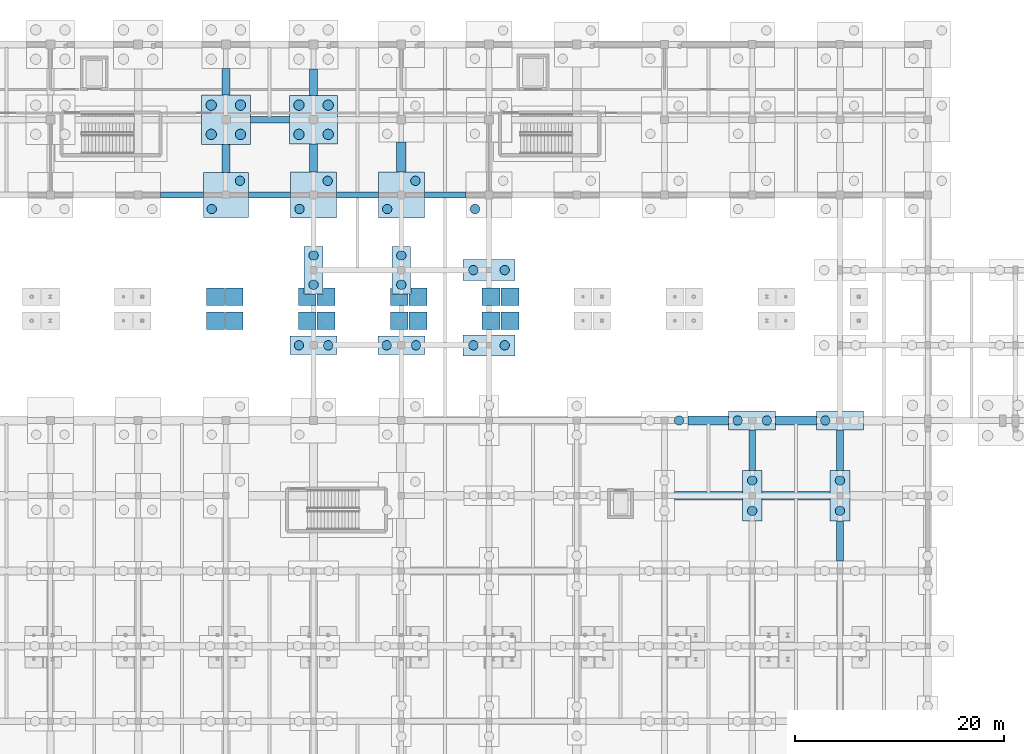
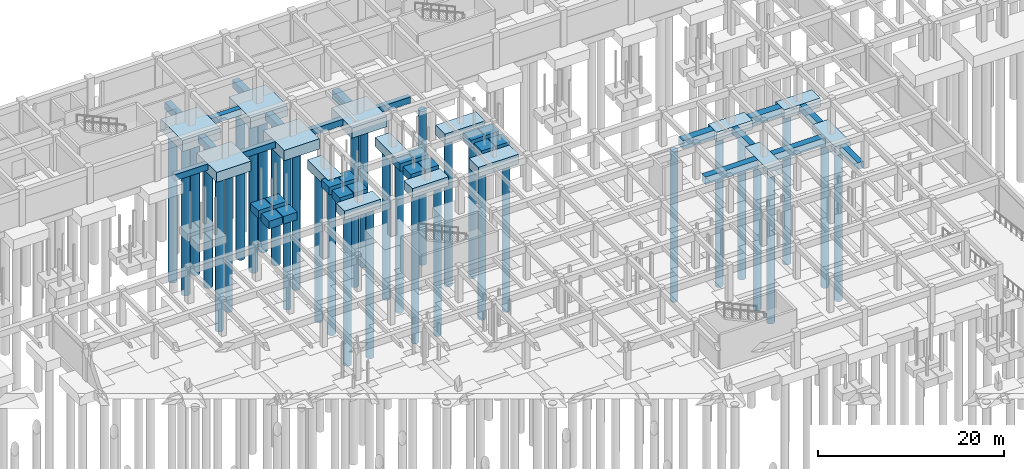
# One storey, part 11 of 80: 48 footings, 35 piles.
"""IFC4 building model written with IfcOpenShell, lengths in metres."""

from ifc_helpers import new_model, si_unit, direction, frame, origin, origin_2d, place, context, subcontext, project, spatial, polyline, rectangle, circle, outline, extrude, material, material_profile, profile_set, type_object, element, save


model = new_model("IFC4")

# Units and contexts
model_context = context("Model", 3, precision=1e-05, world=origin(), true_north=direction((0.0, 1.0)))
body_context = subcontext(model_context, "Body", "Model", "MODEL_VIEW")
ifc_project = project(units=[si_unit("LENGTHUNIT", "METRE"), si_unit("AREAUNIT", "SQUARE_METRE"), si_unit("VOLUMEUNIT", "CUBIC_METRE"), si_unit("PLANEANGLEUNIT", "RADIAN"), si_unit("MASSUNIT", "GRAM", prefix="KILO")], contexts=[model_context])

# Site, building, storey
site_placement = place(None, origin())
site = spatial("IfcSite", under=ifc_project, at=site_placement, CompositionType="ELEMENT")
building_placement = place(site_placement, origin())
building = spatial("IfcBuilding", under=site, at=building_placement, Name="Malvenik Polytechnic", CompositionType="ELEMENT")
storey_placement = place(building_placement, frame((0.0, 0.0, -4.800048828125)))
storey = spatial("IfcBuildingStorey", under=building, at=storey_placement, Name="B1", CompositionType="ELEMENT", Elevation=-4.800048828125)

# Footings
ifc_material = material(Name="Concrete C35/45", Category="concrete")
footing_type_1 = type_object("IfcFootingType", Name="STR-PC-1800x4500x1200", PredefinedType="PILE_CAP", material=ifc_material)
for number, where, z_axis, x_axis, name in (
    (1, (75.60009765625, 100.800048828125, -1.19970703125), (0.0, 0.0, 1.0), (1.0, 0.0, 0.0), "Pile Cap PC-01 #116"),
    (2, (84.0, 100.800048828125, -1.19970703125), (0.0, 0.0, 1.0), (1.0, 0.0, 0.0), "Pile Cap PC-01 #132"),
    (3, (117.60009765625, 93.60009765625, -1.19970703125), (0.0, 0.0, 1.0), (1.0, 0.0, 0.0), "Pile Cap PC-01 #188"),
    (4, (126.0, 93.60009765625, -1.19970703125), (0.0, 0.0, 1.0), (1.0, 0.0, 0.0), "Pile Cap PC-01 #204"),
):
    element("IfcFooting", number, at=place(storey_placement, frame(where, z_axis=z_axis, x_axis=x_axis)), inside=storey, type_object=footing_type_1, Name=name, PredefinedType="PILE_CAP", context=body_context, shape_type="SweptSolid", body=[
        extrude(rectangle(XDim=4.5, YDim=1.800048828125, at=origin_2d()), origin(), (0.0, 0.0, 1.0), 1.199951171875),
    ])
footing_type_2 = type_object("IfcFootingType", Name="STR-PC-2000x5000x1300", PredefinedType="PILE_CAP", material=ifc_material)
for number, where, z_axis, x_axis, name in (
    (5, (92.39990234375, 100.800048828125, -1.2998046875), (0.0, 0.0, 1.0), (1.0, 0.0, 0.0), "Pile Cap PC-03 #148"),
    (6, (92.39990234375, 108.0, -1.2998046875), (0.0, 0.0, 1.0), (1.0, 0.0, 0.0), "Pile Cap PC-03 #149"),
):
    element("IfcFooting", number, at=place(storey_placement, frame(where, z_axis=z_axis, x_axis=x_axis)), inside=storey, type_object=footing_type_2, Name=name, PredefinedType="PILE_CAP", context=body_context, shape_type="SweptSolid", body=[
        extrude(rectangle(XDim=5.0, YDim=2.0, at=origin_2d()), origin(), (0.0, 0.0, 1.0), 1.300048828125),
    ])
footing_type_3 = type_object("IfcFootingType", Name="STR-PC-4500x1800x1200", PredefinedType="PILE_CAP", material=ifc_material)
for number, where, z_axis, x_axis, name in (
    (7, (75.60009765625, 108.0, -1.19970703125), (0.0, 0.0, 1.0), (1.0, 0.0, 0.0), "Pile Cap PC-02 #117"),
    (8, (84.0, 108.0, -1.19970703125), (0.0, 0.0, 1.0), (1.0, 0.0, 0.0), "Pile Cap PC-02 #133"),
):
    element("IfcFooting", number, at=place(storey_placement, frame(where, z_axis=z_axis, x_axis=x_axis)), inside=storey, type_object=footing_type_3, Name=name, PredefinedType="PILE_CAP", context=body_context, shape_type="SweptSolid", body=[
        extrude(rectangle(XDim=1.800048828125, YDim=4.5, at=origin_2d()), origin(), (0.0, 0.0, 1.0), 1.199951171875),
    ])
footing_type_4 = type_object("IfcFootingType", Name="STR-PC-4600x4600x1400", PredefinedType="PILE_CAP", material=ifc_material)
footing_1_placement = place(storey_placement, frame((75.60009765625, 122.39990234375, -1.39990234375), z_axis=(0.0, 0.0, 1.0), x_axis=(1.0, 0.0, 0.0)))
element("IfcFooting", 9, at=footing_1_placement, inside=storey, type_object=footing_type_4, Name="Pile Cap PC-05 #119", PredefinedType="PILE_CAP", context=body_context, shape_type="SweptSolid", body=[
    extrude(rectangle(XDim=4.60009765625, YDim=4.60009765625, at=origin_2d()), origin(), (0.0, 0.0, 1.0), 1.39990234375),
])
footing_type_5 = type_object("IfcFootingType", Name="STR-PC-4700x4700x1450", PredefinedType="PILE_CAP", material=ifc_material)
footing_2_placement = place(storey_placement, frame((67.199951171875, 122.39990234375, -1.44970703125), z_axis=(0.0, 0.0, 1.0), x_axis=(1.0, 0.0, 0.0)))
element("IfcFooting", 10, at=footing_2_placement, inside=storey, type_object=footing_type_5, Name="Pile Cap PC-12 #104", PredefinedType="PILE_CAP", context=body_context, shape_type="SweptSolid", body=[
    extrude(rectangle(XDim=4.699951171875, YDim=4.699951171875, at=origin_2d()), origin(), (0.0, 0.0, 1.0), 1.449951171875),
])
footing_type_6 = type_object("IfcFootingType", Name="STR-PC-4800x1900x1250", PredefinedType="PILE_CAP", material=ifc_material)
for number, where, z_axis, x_axis, name in (
    (11, (117.60009765625, 86.39990234375, -1.25), (0.0, 0.0, 1.0), (1.0, 0.0, 0.0), "Pile Cap PC-14 #187"),
    (12, (126.0, 86.39990234375, -1.25), (0.0, 0.0, 1.0), (1.0, 0.0, 0.0), "Pile Cap PC-14 #203"),
):
    element("IfcFooting", number, at=place(storey_placement, frame(where, z_axis=z_axis, x_axis=x_axis)), inside=storey, type_object=footing_type_6, Name=name, PredefinedType="PILE_CAP", context=body_context, shape_type="SweptSolid", body=[
        extrude(rectangle(XDim=1.89990234375, YDim=4.800048828125, at=origin_2d()), origin(), (0.0, 0.0, 1.0), 1.25),
    ])
footing_type_7 = type_object("IfcFootingType", Name="STR-PC-COMB-29", PredefinedType="PILE_CAP", material=ifc_material)
footing_3_placement = place(storey_placement, frame((67.199951171875, 115.199951171875, -1.2998046875), z_axis=(0.0, 0.0, 1.0), x_axis=(1.0, 0.0, 0.0)))
element("IfcFooting", 13, at=footing_3_placement, inside=storey, type_object=footing_type_7, Name="Pile Cap PCC-29 #103", PredefinedType="PILE_CAP", context=body_context, shape_type="SweptSolid", body=[
    extrude(rectangle(XDim=4.300048828125, YDim=4.300048828125, at=origin_2d()), origin(), (0.0, 0.0, 1.0), 1.300048828125),
])
footing_type_8 = type_object("IfcFootingType", Name="STR-PC-COMB-31", PredefinedType="PILE_CAP", material=ifc_material)
footing_4_placement = place(storey_placement, frame((75.60009765625, 115.199951171875, -1.35009765625), z_axis=(0.0, 0.0, 1.0), x_axis=(1.0, 0.0, 0.0)))
element("IfcFooting", 14, at=footing_4_placement, inside=storey, type_object=footing_type_8, Name="Pile Cap PCC-31 #118", PredefinedType="PILE_CAP", context=body_context, shape_type="SweptSolid", body=[
    extrude(rectangle(XDim=4.39990234375, YDim=4.39990234375, at=origin_2d()), origin(), (0.0, 0.0, 1.0), 1.35009765625),
])
footing_type_9 = type_object("IfcFootingType", Name="STR-PC-COMB-34", PredefinedType="PILE_CAP", material=ifc_material)
footing_5_placement = place(storey_placement, frame((84.0, 115.199951171875, -1.35009765625), z_axis=(0.0, 0.0, 1.0), x_axis=(1.0, 0.0, 0.0)))
element("IfcFooting", 15, at=footing_5_placement, inside=storey, type_object=footing_type_9, Name="Pile Cap PCC-34 #134", PredefinedType="PILE_CAP", context=body_context, shape_type="SweptSolid", body=[
    extrude(rectangle(XDim=4.39990234375, YDim=4.39990234375, at=origin_2d()), origin(), (0.0, 0.0, 1.0), 1.35009765625),
])

# Piles
ifc_material_profile_1 = material_profile(ifc_material, circle(Radius=0.5, at=origin_2d()), Name="BORED PILE D1000")
ifc_profile_set_1 = profile_set([ifc_material_profile_1], Name="Concrete C35/45")
pile_type_1 = type_object("IfcPileType", Name="STR-PL-D1000-196", PredefinedType="BORED", material=ifc_profile_set_1)
for number, where, z_axis, x_axis, name in (
    (16, (65.800048828125, 121.0, -1.349853515625), (0.0, 0.0, -1.0), (1.0, 0.0, 0.0), "Bored Pile PL-04 #239"),
    (17, (65.800048828125, 123.800048828125, -1.349853515625), (0.0, 0.0, -1.0), (1.0, 0.0, 0.0), "Bored Pile PL-04 #240"),
    (18, (68.60009765625, 121.0, -1.349853515625), (0.0, 0.0, -1.0), (1.0, 0.0, 0.0), "Bored Pile PL-04 #241"),
    (19, (68.60009765625, 123.800048828125, -1.349853515625), (0.0, 0.0, -1.0), (1.0, 0.0, 0.0), "Bored Pile PL-04 #242"),
    (20, (74.199951171875, 121.0, -1.300048828125), (0.0, 0.0, -1.0), (1.0, 0.0, 0.0), "Bored Pile PL-04 #273"),
    (21, (74.199951171875, 123.800048828125, -1.300048828125), (0.0, 0.0, -1.0), (1.0, 0.0, 0.0), "Bored Pile PL-04 #274"),
    (22, (77.0, 121.0, -1.300048828125), (0.0, 0.0, -1.0), (1.0, 0.0, 0.0), "Bored Pile PL-04 #275"),
    (23, (77.0, 123.800048828125, -1.300048828125), (0.0, 0.0, -1.0), (1.0, 0.0, 0.0), "Bored Pile PL-04 #276"),
):
    element("IfcPile", number, at=place(storey_placement, frame(where, z_axis=z_axis, x_axis=x_axis)), inside=storey, type_object=pile_type_1, Name=name, PredefinedType="BORED", context=body_context, shape_type="SweptSolid", body=[
        extrude(circle(Radius=0.5, at=origin_2d()), origin(), (0.0, 0.0, 1.0), 19.60009765625),
    ])
ifc_material_profile_2 = material_profile(ifc_material, circle(Radius=0.449951171875, at=origin_2d()), Name="BORED PILE D900")
ifc_profile_set_2 = profile_set([ifc_material_profile_2], Name="Concrete C35/45")
pile_type_2 = type_object("IfcPileType", Name="STR-PL-D900-195", PredefinedType="BORED", material=ifc_profile_set_2)
for number, where, z_axis, x_axis, name in (
    (24, (90.89990234375, 100.800048828125, -1.199951171875), (0.0, 0.0, -1.0), (1.0, 0.0, 0.0), "Bored Pile PL-01 #335"),
    (25, (93.89990234375, 100.800048828125, -1.199951171875), (0.0, 0.0, -1.0), (1.0, 0.0, 0.0), "Bored Pile PL-01 #336"),
    (26, (90.89990234375, 108.0, -1.199951171875), (0.0, 0.0, -1.0), (1.0, 0.0, 0.0), "Bored Pile PL-01 #337"),
    (27, (93.89990234375, 108.0, -1.199951171875), (0.0, 0.0, -1.0), (1.0, 0.0, 0.0), "Bored Pile PL-01 #338"),
):
    element("IfcPile", number, at=place(storey_placement, frame(where, z_axis=z_axis, x_axis=x_axis)), inside=storey, type_object=pile_type_2, Name=name, PredefinedType="BORED", context=body_context, shape_type="SweptSolid", body=[
        extrude(circle(Radius=0.449951171875, at=origin_2d()), origin(), (0.0, 0.0, 1.0), 19.5),
    ])
ifc_material_profile_3 = material_profile(ifc_material, circle(Radius=0.449951171875, at=origin_2d()), Name="BORED PILE D900")
ifc_profile_set_3 = profile_set([ifc_material_profile_3], Name="Concrete C35/45")
pile_type_3 = type_object("IfcPileType", Name="STR-PL-D900-198", PredefinedType="BORED", material=ifc_profile_set_3)
for number, where, z_axis, x_axis, name in (
    (28, (74.199951171875, 100.800048828125, -1.099853515625), (0.0, 0.0, -1.0), (1.0, 0.0, 0.0), "Bored Pile PL-02 #267"),
    (29, (77.0, 100.800048828125, -1.099853515625), (0.0, 0.0, -1.0), (1.0, 0.0, 0.0), "Bored Pile PL-02 #268"),
    (30, (75.60009765625, 106.60009765625, -1.099853515625), (0.0, 0.0, -1.0), (1.0, 0.0, 0.0), "Bored Pile PL-02 #269"),
    (31, (75.60009765625, 109.39990234375, -1.099853515625), (0.0, 0.0, -1.0), (1.0, 0.0, 0.0), "Bored Pile PL-02 #270"),
    (32, (82.60009765625, 100.800048828125, -1.099853515625), (0.0, 0.0, -1.0), (1.0, 0.0, 0.0), "Bored Pile PL-02 #303"),
    (33, (85.39990234375, 100.800048828125, -1.099853515625), (0.0, 0.0, -1.0), (1.0, 0.0, 0.0), "Bored Pile PL-02 #304"),
    (34, (84.0, 106.60009765625, -1.099853515625), (0.0, 0.0, -1.0), (1.0, 0.0, 0.0), "Bored Pile PL-02 #305"),
    (35, (84.0, 109.39990234375, -1.099853515625), (0.0, 0.0, -1.0), (1.0, 0.0, 0.0), "Bored Pile PL-02 #306"),
    (36, (110.60009765625, 93.60009765625, -1.099853515625), (0.0, 0.0, -1.0), (1.0, 0.0, 0.0), "Bored Pile PL-02 #384"),
    (37, (117.60009765625, 84.949951171875, -1.14990234375), (0.0, 0.0, -1.0), (1.0, 0.0, 0.0), "Bored Pile PL-02 #413"),
    (38, (117.60009765625, 87.85009765625, -1.14990234375), (0.0, 0.0, -1.0), (1.0, 0.0, 0.0), "Bored Pile PL-02 #414"),
    (39, (116.199951171875, 93.60009765625, -1.099853515625), (0.0, 0.0, -1.0), (1.0, 0.0, 0.0), "Bored Pile PL-02 #415"),
    (40, (119.0, 93.60009765625, -1.099853515625), (0.0, 0.0, -1.0), (1.0, 0.0, 0.0), "Bored Pile PL-02 #416"),
    (41, (126.0, 84.949951171875, -1.14990234375), (0.0, 0.0, -1.0), (1.0, 0.0, 0.0), "Bored Pile PL-02 #445"),
    (42, (126.0, 87.85009765625, -1.14990234375), (0.0, 0.0, -1.0), (1.0, 0.0, 0.0), "Bored Pile PL-02 #446"),
    (43, (124.60009765625, 93.60009765625, -1.099853515625), (0.0, 0.0, -1.0), (1.0, 0.0, 0.0), "Bored Pile PL-02 #447"),
):
    element("IfcPile", number, at=place(storey_placement, frame(where, z_axis=z_axis, x_axis=x_axis)), inside=storey, type_object=pile_type_3, Name=name, PredefinedType="BORED", context=body_context, shape_type="SweptSolid", body=[
        extrude(circle(Radius=0.449951171875, at=origin_2d()), origin(), (0.0, 0.0, 1.0), 19.800048828125),
    ])
ifc_material_profile_4 = material_profile(ifc_material, circle(Radius=0.449951171875, at=origin_2d()), Name="BORED PILE D900")
ifc_profile_set_4 = profile_set([ifc_material_profile_4], Name="Concrete C35/45")
pile_type_4 = type_object("IfcPileType", Name="STR-PL-D900-202", PredefinedType="BORED", material=ifc_profile_set_4)
for number, where, z_axis, x_axis, name in (
    (44, (65.85009765625, 113.85009765625, -1.199951171875), (0.0, 0.0, -1.0), (1.0, 0.0, 0.0), "Bored Pile PL-03 #237"),
    (45, (68.550048828125, 116.550048828125, -1.199951171875), (0.0, 0.0, -1.0), (1.0, 0.0, 0.0), "Bored Pile PL-03 #238"),
    (46, (74.25, 113.85009765625, -1.25), (0.0, 0.0, -1.0), (1.0, 0.0, 0.0), "Bored Pile PL-03 #271"),
    (47, (76.949951171875, 116.550048828125, -1.25), (0.0, 0.0, -1.0), (1.0, 0.0, 0.0), "Bored Pile PL-03 #272"),
    (48, (82.64990234375, 113.85009765625, -1.25), (0.0, 0.0, -1.0), (1.0, 0.0, 0.0), "Bored Pile PL-03 #307"),
    (49, (85.35009765625, 116.550048828125, -1.25), (0.0, 0.0, -1.0), (1.0, 0.0, 0.0), "Bored Pile PL-03 #308"),
    (50, (91.050048828125, 113.85009765625, -1.25), (0.0, 0.0, -1.0), (1.0, 0.0, 0.0), "Bored Pile PL-03 #339"),
):
    element("IfcPile", number, at=place(storey_placement, frame(where, z_axis=z_axis, x_axis=x_axis)), inside=storey, type_object=pile_type_4, Name=name, PredefinedType="BORED", context=body_context, shape_type="SweptSolid", body=[
        extrude(circle(Radius=0.449951171875, at=origin_2d()), origin(), (0.0, 0.0, 1.0), 20.199951171875),
    ])

# Footings
footing_type_10 = type_object("IfcFootingType", Name="STR-SF-600x800", PredefinedType="STRIP_FOOTING", material=ifc_material)
footing_6_placement = place(storey_placement, frame((0.0, 0.0, -0.800048828125)))
element("IfcFooting", 51, at=footing_6_placement, inside=storey, type_object=footing_type_10, Name="Ground Tie Beam SF-01 #136", PredefinedType="STRIP_FOOTING", context=body_context, shape_type="SweptSolid", body=[
    extrude(outline(polyline([(60.949951171875, 114.89990234375), (65.050048828125, 114.89990234375), (65.050048828125, 115.5), (60.949951171875, 115.5), (60.949951171875, 114.89990234375)])), origin(), (0.0, 0.0, 1.0), 0.800048828125),
])
footing_7_placement = place(storey_placement, frame((0.0, 0.0, -0.800048828125)))
element("IfcFooting", 52, at=footing_7_placement, inside=storey, type_object=footing_type_10, Name="Ground Tie Beam SF-01 #137", PredefinedType="STRIP_FOOTING", context=body_context, shape_type="SweptSolid", body=[
    extrude(outline(polyline([(69.35009765625, 114.89990234375), (73.39990234375, 114.89990234375), (73.39990234375, 115.5), (69.35009765625, 115.5), (69.35009765625, 114.89990234375)])), origin(), (0.0, 0.0, 1.0), 0.800048828125),
])
footing_8_placement = place(storey_placement, frame((0.0, 0.0, -0.800048828125)))
element("IfcFooting", 53, at=footing_8_placement, inside=storey, type_object=footing_type_10, Name="Ground Tie Beam SF-01 #138", PredefinedType="STRIP_FOOTING", context=body_context, shape_type="SweptSolid", body=[
    extrude(outline(polyline([(77.800048828125, 114.89990234375), (81.800048828125, 114.89990234375), (81.800048828125, 115.5), (77.800048828125, 115.5), (77.800048828125, 114.89990234375)])), origin(), (0.0, 0.0, 1.0), 0.800048828125),
])
footing_9_placement = place(storey_placement, frame((0.0, 0.0, -0.800048828125)))
element("IfcFooting", 54, at=footing_9_placement, inside=storey, type_object=footing_type_10, Name="Ground Tie Beam SF-01 #139", PredefinedType="STRIP_FOOTING", context=body_context, shape_type="SweptSolid", body=[
    extrude(outline(polyline([(86.199951171875, 114.89990234375), (90.199951171875, 114.89990234375), (90.199951171875, 115.5), (86.199951171875, 115.5), (86.199951171875, 114.89990234375)])), origin(), (0.0, 0.0, 1.0), 0.800048828125),
])
footing_type_11 = type_object("IfcFootingType", Name="STR-SF-650x850", PredefinedType="STRIP_FOOTING", material=ifc_material)
footing_10_placement = place(storey_placement, frame((0.0, 0.0, -0.849853515625)))
element("IfcFooting", 55, at=footing_10_placement, inside=storey, type_object=footing_type_11, Name="Ground Tie Beam SF-02 #151", PredefinedType="STRIP_FOOTING", context=body_context, shape_type="SweptSolid", body=[
    extrude(outline(polyline([(69.550048828125, 122.074951171875), (73.300048828125, 122.074951171875), (73.300048828125, 122.72509765625), (69.550048828125, 122.72509765625), (69.550048828125, 122.074951171875)])), origin(), (0.0, 0.0, 1.0), 0.849853515625),
])
footing_11_placement = place(storey_placement, frame((0.0, 0.0, -0.849853515625)))
element("IfcFooting", 56, at=footing_11_placement, inside=storey, type_object=footing_type_11, Name="Ground Tie Beam SF-02 #289", PredefinedType="STRIP_FOOTING", context=body_context, shape_type="SweptSolid", body=[
    extrude(outline(polyline([(117.27490234375, 88.800048828125), (117.925048828125, 88.800048828125), (117.925048828125, 92.699951171875), (117.27490234375, 92.699951171875), (117.27490234375, 88.800048828125)])), origin(), (0.0, 0.0, 1.0), 0.849853515625),
])
footing_type_12 = type_object("IfcFootingType", Name="STR-SF-700x900", PredefinedType="STRIP_FOOTING", material=ifc_material)
footing_12_placement = place(storey_placement, frame((0.0, 0.0, -0.89990234375)))
element("IfcFooting", 57, at=footing_12_placement, inside=storey, type_object=footing_type_12, Name="Ground Tie Beam SF-03 #298", PredefinedType="STRIP_FOOTING", context=body_context, shape_type="SweptSolid", body=[
    extrude(outline(polyline([(125.64990234375, 80.14990234375), (126.35009765625, 80.14990234375), (126.35009765625, 84.0), (125.64990234375, 84.0), (125.64990234375, 80.14990234375)])), origin(), (0.0, 0.0, 1.0), 0.89990234375),
])
footing_13_placement = place(storey_placement, frame((0.0, 0.0, -0.89990234375)))
element("IfcFooting", 58, at=footing_13_placement, inside=storey, type_object=footing_type_12, Name="Ground Tie Beam SF-03 #299", PredefinedType="STRIP_FOOTING", context=body_context, shape_type="SweptSolid", body=[
    extrude(outline(polyline([(125.64990234375, 88.800048828125), (126.35009765625, 88.800048828125), (126.35009765625, 92.699951171875), (125.64990234375, 92.699951171875), (125.64990234375, 88.800048828125)])), origin(), (0.0, 0.0, 1.0), 0.89990234375),
])
footing_type_13 = type_object("IfcFootingType", Name="STR-SF-750x950", PredefinedType="STRIP_FOOTING", material=ifc_material)
footing_14_placement = place(storey_placement, frame((0.0, 0.0, -0.949951171875)))
element("IfcFooting", 59, at=footing_14_placement, inside=storey, type_object=footing_type_13, Name="Ground Tie Beam SF-04 #228", PredefinedType="STRIP_FOOTING", context=body_context, shape_type="SweptSolid", body=[
    extrude(outline(polyline([(66.824951171875, 117.35009765625), (67.574951171875, 117.35009765625), (67.574951171875, 120.050048828125), (66.824951171875, 120.050048828125), (66.824951171875, 117.35009765625)])), origin(), (0.0, 0.0, 1.0), 0.949951171875),
])
footing_15_placement = place(storey_placement, frame((0.0, 0.0, -0.949951171875)))
element("IfcFooting", 60, at=footing_15_placement, inside=storey, type_object=footing_type_13, Name="Ground Tie Beam SF-04 #229", PredefinedType="STRIP_FOOTING", context=body_context, shape_type="SweptSolid", body=[
    extrude(outline(polyline([(66.824951171875, 124.75), (67.574951171875, 124.75), (67.574951171875, 127.300048828125), (66.824951171875, 127.300048828125), (66.824951171875, 124.75)])), origin(), (0.0, 0.0, 1.0), 0.949951171875),
])
footing_type_14 = type_object("IfcFootingType", Name="STR-SF-800x1000", PredefinedType="STRIP_FOOTING", material=ifc_material)
footing_16_placement = place(storey_placement, frame((0.0, 0.0, -1.0)))
element("IfcFooting", 61, at=footing_16_placement, inside=storey, type_object=footing_type_14, Name="Ground Tie Beam SF-05 #114", PredefinedType="STRIP_FOOTING", context=body_context, shape_type="SweptSolid", body=[
    extrude(outline(polyline([(110.14990234375, 86.0), (116.64990234375, 86.0), (116.64990234375, 86.800048828125), (110.14990234375, 86.800048828125), (110.14990234375, 86.0)])), origin(), (0.0, 0.0, 1.0), 1.0),
])
footing_17_placement = place(storey_placement, frame((0.0, 0.0, -1.0)))
element("IfcFooting", 62, at=footing_17_placement, inside=storey, type_object=footing_type_14, Name="Ground Tie Beam SF-05 #115", PredefinedType="STRIP_FOOTING", context=body_context, shape_type="SweptSolid", body=[
    extrude(outline(polyline([(118.550048828125, 86.0), (125.050048828125, 86.0), (125.050048828125, 86.800048828125), (118.550048828125, 86.800048828125), (118.550048828125, 86.0)])), origin(), (0.0, 0.0, 1.0), 1.0),
])
footing_18_placement = place(storey_placement, frame((0.0, 0.0, -1.0)))
element("IfcFooting", 63, at=footing_18_placement, inside=storey, type_object=footing_type_14, Name="Ground Tie Beam SF-05 #239", PredefinedType="STRIP_FOOTING", context=body_context, shape_type="SweptSolid", body=[
    extrude(outline(polyline([(75.199951171875, 117.39990234375), (76.0, 117.39990234375), (76.0, 120.10009765625), (75.199951171875, 120.10009765625), (75.199951171875, 117.39990234375)])), origin(), (0.0, 0.0, 1.0), 1.0),
])
footing_19_placement = place(storey_placement, frame((0.0, 0.0, -1.0)))
element("IfcFooting", 64, at=footing_19_placement, inside=storey, type_object=footing_type_14, Name="Ground Tie Beam SF-05 #240", PredefinedType="STRIP_FOOTING", context=body_context, shape_type="SweptSolid", body=[
    extrude(outline(polyline([(75.199951171875, 124.699951171875), (76.0, 124.699951171875), (76.0, 127.25), (75.199951171875, 127.25), (75.199951171875, 124.699951171875)])), origin(), (0.0, 0.0, 1.0), 1.0),
])
footing_20_placement = place(storey_placement, frame((0.0, 0.0, -1.0)))
element("IfcFooting", 65, at=footing_20_placement, inside=storey, type_object=footing_type_14, Name="Bridge-Ramp Pier Footing #115.1", PredefinedType="STRIP_FOOTING", context=body_context, shape_type="SweptSolid", body=[
    extrude(outline(polyline([(65.35009765625, 102.300048828125), (65.35009765625, 104.0), (67.050048828125, 104.0), (67.050048828125, 102.300048828125), (65.35009765625, 102.300048828125)])), origin(), (0.0, 0.0, 1.0), 1.0),
])
footing_21_placement = place(storey_placement, frame((0.0, 0.0, -1.0)))
element("IfcFooting", 66, at=footing_21_placement, inside=storey, type_object=footing_type_14, Name="Bridge-Ramp Pier Footing #116.1", PredefinedType="STRIP_FOOTING", context=body_context, shape_type="SweptSolid", body=[
    extrude(outline(polyline([(65.35009765625, 104.60009765625), (65.35009765625, 106.300048828125), (67.050048828125, 106.300048828125), (67.050048828125, 104.60009765625), (65.35009765625, 104.60009765625)])), origin(), (0.0, 0.0, 1.0), 1.0),
])
footing_22_placement = place(storey_placement, frame((0.0, 0.0, -1.0)))
element("IfcFooting", 67, at=footing_22_placement, inside=storey, type_object=footing_type_14, Name="Bridge-Ramp Pier Footing #117.1", PredefinedType="STRIP_FOOTING", context=body_context, shape_type="SweptSolid", body=[
    extrude(outline(polyline([(67.14990234375, 102.300048828125), (67.14990234375, 104.0), (68.85009765625, 104.0), (68.85009765625, 102.300048828125), (67.14990234375, 102.300048828125)])), origin(), (0.0, 0.0, 1.0), 1.0),
])
footing_23_placement = place(storey_placement, frame((0.0, 0.0, -1.0)))
element("IfcFooting", 68, at=footing_23_placement, inside=storey, type_object=footing_type_14, Name="Bridge-Ramp Pier Footing #118.1", PredefinedType="STRIP_FOOTING", context=body_context, shape_type="SweptSolid", body=[
    extrude(outline(polyline([(67.14990234375, 104.60009765625), (67.14990234375, 106.300048828125), (68.85009765625, 106.300048828125), (68.85009765625, 104.60009765625), (67.14990234375, 104.60009765625)])), origin(), (0.0, 0.0, 1.0), 1.0),
])
footing_24_placement = place(storey_placement, frame((0.0, 0.0, -1.0)))
element("IfcFooting", 69, at=footing_24_placement, inside=storey, type_object=footing_type_14, Name="Bridge-Ramp Pier Footing #119.1", PredefinedType="STRIP_FOOTING", context=body_context, shape_type="SweptSolid", body=[
    extrude(outline(polyline([(74.14990234375, 102.300048828125), (74.14990234375, 104.0), (75.85009765625, 104.0), (75.85009765625, 102.300048828125), (74.14990234375, 102.300048828125)])), origin(), (0.0, 0.0, 1.0), 1.0),
])
footing_25_placement = place(storey_placement, frame((0.0, 0.0, -1.0)))
element("IfcFooting", 70, at=footing_25_placement, inside=storey, type_object=footing_type_14, Name="Bridge-Ramp Pier Footing #120.1", PredefinedType="STRIP_FOOTING", context=body_context, shape_type="SweptSolid", body=[
    extrude(outline(polyline([(75.85009765625, 104.60009765625), (74.14990234375, 104.60009765625), (74.14990234375, 106.300048828125), (74.669921875, 106.300048828125), (74.669921875, 105.75), (74.670166015625, 105.7470703125), (74.670654296875, 105.744140625), (74.67138671875, 105.7412109375), (74.67236328125, 105.738525390625), (74.673583984375, 105.73583984375), (74.675048828125, 105.7333984375), (74.6767578125, 105.73095703125), (74.6787109375, 105.728759765625), (74.680908203125, 105.726806640625), (74.683349609375, 105.72509765625), (74.685791015625, 105.723388671875), (74.6884765625, 105.722412109375), (74.69140625, 105.72119140625), (74.694091796875, 105.720703125), (74.697021484375, 105.72021484375), (74.699951171875, 105.719970703125), (75.85009765625, 105.719970703125), (75.85009765625, 104.60009765625)])), origin(), (0.0, 0.0, 1.0), 1.0),
])
footing_26_placement = place(storey_placement, frame((0.0, 0.0, -1.0)))
element("IfcFooting", 71, at=footing_26_placement, inside=storey, type_object=footing_type_14, Name="Bridge-Ramp Pier Footing #121.1", PredefinedType="STRIP_FOOTING", context=body_context, shape_type="SweptSolid", body=[
    extrude(outline(polyline([(75.949951171875, 102.300048828125), (75.949951171875, 104.0), (77.64990234375, 104.0), (77.64990234375, 102.300048828125), (75.949951171875, 102.300048828125)])), origin(), (0.0, 0.0, 1.0), 1.0),
])
footing_27_placement = place(storey_placement, frame((0.0, 0.0, -1.0)))
element("IfcFooting", 72, at=footing_27_placement, inside=storey, type_object=footing_type_14, Name="Bridge-Ramp Pier Footing #122.1", PredefinedType="STRIP_FOOTING", context=body_context, shape_type="SweptSolid", body=[
    extrude(outline(polyline([(77.64990234375, 106.300048828125), (77.64990234375, 104.60009765625), (75.949951171875, 104.60009765625), (75.949951171875, 105.719970703125), (76.5, 105.719970703125), (76.5029296875, 105.72021484375), (76.505859375, 105.720703125), (76.5087890625, 105.72119140625), (76.511474609375, 105.722412109375), (76.51416015625, 105.723388671875), (76.5166015625, 105.72509765625), (76.51904296875, 105.726806640625), (76.521240234375, 105.728759765625), (76.523193359375, 105.73095703125), (76.52490234375, 105.7333984375), (76.526611328125, 105.73583984375), (76.527587890625, 105.738525390625), (76.52880859375, 105.7412109375), (76.529296875, 105.744140625), (76.52978515625, 105.7470703125), (76.530029296875, 105.75), (76.530029296875, 106.300048828125), (77.64990234375, 106.300048828125)])), origin(), (0.0, 0.0, 1.0), 1.0),
])
footing_28_placement = place(storey_placement, frame((0.0, 0.0, -1.0)))
element("IfcFooting", 73, at=footing_28_placement, inside=storey, type_object=footing_type_14, Name="Bridge-Ramp Pier Footing #123.1", PredefinedType="STRIP_FOOTING", context=body_context, shape_type="SweptSolid", body=[
    extrude(outline(polyline([(82.949951171875, 102.300048828125), (82.949951171875, 104.0), (84.64990234375, 104.0), (84.64990234375, 102.300048828125), (82.949951171875, 102.300048828125)])), origin(), (0.0, 0.0, 1.0), 1.0),
])
footing_29_placement = place(storey_placement, frame((0.0, 0.0, -1.0)))
element("IfcFooting", 74, at=footing_29_placement, inside=storey, type_object=footing_type_14, Name="Bridge-Ramp Pier Footing #124.1", PredefinedType="STRIP_FOOTING", context=body_context, shape_type="SweptSolid", body=[
    extrude(outline(polyline([(84.64990234375, 104.60009765625), (82.949951171875, 104.60009765625), (82.949951171875, 106.300048828125), (83.070068359375, 106.300048828125), (83.070068359375, 105.75), (83.070068359375, 105.7470703125), (83.070556640625, 105.744140625), (83.0712890625, 105.7412109375), (83.072265625, 105.738525390625), (83.073486328125, 105.73583984375), (83.0751953125, 105.7333984375), (83.076904296875, 105.73095703125), (83.078857421875, 105.728759765625), (83.0810546875, 105.726806640625), (83.083251953125, 105.72509765625), (83.0859375, 105.723388671875), (83.08837890625, 105.722412109375), (83.09130859375, 105.72119140625), (83.093994140625, 105.720703125), (83.09716796875, 105.72021484375), (83.10009765625, 105.719970703125), (84.64990234375, 105.719970703125), (84.64990234375, 104.60009765625)])), origin(), (0.0, 0.0, 1.0), 1.0),
])
footing_30_placement = place(storey_placement, frame((0.0, 0.0, -1.0)))
element("IfcFooting", 75, at=footing_30_placement, inside=storey, type_object=footing_type_14, Name="Bridge-Ramp Pier Footing #125.1", PredefinedType="STRIP_FOOTING", context=body_context, shape_type="SweptSolid", body=[
    extrude(outline(polyline([(84.75, 102.300048828125), (84.75, 104.0), (86.449951171875, 104.0), (86.449951171875, 102.300048828125), (84.75, 102.300048828125)])), origin(), (0.0, 0.0, 1.0), 1.0),
])
footing_31_placement = place(storey_placement, frame((0.0, 0.0, -1.0)))
element("IfcFooting", 76, at=footing_31_placement, inside=storey, type_object=footing_type_14, Name="Bridge-Ramp Pier Footing #126.1", PredefinedType="STRIP_FOOTING", context=body_context, shape_type="SweptSolid", body=[
    extrude(outline(polyline([(86.449951171875, 106.300048828125), (86.449951171875, 104.60009765625), (84.75, 104.60009765625), (84.75, 105.719970703125), (84.89990234375, 105.719970703125), (84.90283203125, 105.72021484375), (84.906005859375, 105.720703125), (84.90869140625, 105.72119140625), (84.91162109375, 105.722412109375), (84.9140625, 105.723388671875), (84.916748046875, 105.72509765625), (84.9189453125, 105.726806640625), (84.921142578125, 105.728759765625), (84.923095703125, 105.73095703125), (84.9248046875, 105.7333984375), (84.926513671875, 105.73583984375), (84.927734375, 105.738525390625), (84.9287109375, 105.7412109375), (84.929443359375, 105.744140625), (84.929931640625, 105.7470703125), (84.929931640625, 105.75), (84.929931640625, 106.300048828125), (86.449951171875, 106.300048828125)])), origin(), (0.0, 0.0, 1.0), 1.0),
])
footing_32_placement = place(storey_placement, frame((0.0, 0.0, -1.0)))
element("IfcFooting", 77, at=footing_32_placement, inside=storey, type_object=footing_type_14, Name="Bridge-Ramp Pier Footing #127.1", PredefinedType="STRIP_FOOTING", context=body_context, shape_type="SweptSolid", body=[
    extrude(outline(polyline([(91.75, 102.300048828125), (91.75, 104.0), (93.449951171875, 104.0), (93.449951171875, 102.300048828125), (91.75, 102.300048828125)])), origin(), (0.0, 0.0, 1.0), 1.0),
])
footing_33_placement = place(storey_placement, frame((0.0, 0.0, -1.0)))
element("IfcFooting", 78, at=footing_33_placement, inside=storey, type_object=footing_type_14, Name="Bridge-Ramp Pier Footing #128.1", PredefinedType="STRIP_FOOTING", context=body_context, shape_type="SweptSolid", body=[
    extrude(outline(polyline([(91.75, 104.60009765625), (91.75, 106.300048828125), (93.449951171875, 106.300048828125), (93.449951171875, 104.60009765625), (91.75, 104.60009765625)])), origin(), (0.0, 0.0, 1.0), 1.0),
])
footing_34_placement = place(storey_placement, frame((0.0, 0.0, -1.0)))
element("IfcFooting", 79, at=footing_34_placement, inside=storey, type_object=footing_type_14, Name="Bridge-Ramp Pier Footing #129.1", PredefinedType="STRIP_FOOTING", context=body_context, shape_type="SweptSolid", body=[
    extrude(outline(polyline([(93.550048828125, 102.300048828125), (93.550048828125, 104.0), (95.25, 104.0), (95.25, 102.300048828125), (93.550048828125, 102.300048828125)])), origin(), (0.0, 0.0, 1.0), 1.0),
])
footing_35_placement = place(storey_placement, frame((0.0, 0.0, -1.0)))
element("IfcFooting", 80, at=footing_35_placement, inside=storey, type_object=footing_type_14, Name="Bridge-Ramp Pier Footing #130.1", PredefinedType="STRIP_FOOTING", context=body_context, shape_type="SweptSolid", body=[
    extrude(outline(polyline([(93.550048828125, 104.60009765625), (93.550048828125, 106.300048828125), (95.25, 106.300048828125), (95.25, 104.60009765625), (93.550048828125, 104.60009765625)])), origin(), (0.0, 0.0, 1.0), 1.0),
])
footing_type_15 = type_object("IfcFootingType", Name="STR-SF-900x1100", PredefinedType="STRIP_FOOTING", material=ifc_material)
footing_36_placement = place(storey_placement, frame((0.0, 0.0, -1.099853515625)))
element("IfcFooting", 81, at=footing_36_placement, inside=storey, type_object=footing_type_15, Name="Ground Tie Beam SF-06 #126", PredefinedType="STRIP_FOOTING", context=body_context, shape_type="SweptSolid", body=[
    extrude(outline(polyline([(111.449951171875, 93.14990234375), (115.35009765625, 93.14990234375), (115.35009765625, 94.050048828125), (111.449951171875, 94.050048828125), (111.449951171875, 93.14990234375)])), origin(), (0.0, 0.0, 1.0), 1.099853515625),
])
footing_37_placement = place(storey_placement, frame((0.0, 0.0, -1.099853515625)))
element("IfcFooting", 82, at=footing_37_placement, inside=storey, type_object=footing_type_15, Name="Ground Tie Beam SF-06 #127", PredefinedType="STRIP_FOOTING", context=body_context, shape_type="SweptSolid", body=[
    extrude(outline(polyline([(119.85009765625, 93.14990234375), (123.75, 93.14990234375), (123.75, 94.050048828125), (119.85009765625, 94.050048828125), (119.85009765625, 93.14990234375)])), origin(), (0.0, 0.0, 1.0), 1.099853515625),
])
footing_38_placement = place(storey_placement, frame((0.0, 0.0, -1.099853515625)))
element("IfcFooting", 83, at=footing_38_placement, inside=storey, type_object=footing_type_15, Name="Ground Tie Beam SF-06 #251", PredefinedType="STRIP_FOOTING", context=body_context, shape_type="SweptSolid", body=[
    extrude(outline(polyline([(83.550048828125, 117.39990234375), (84.449951171875, 117.39990234375), (84.449951171875, 120.25), (83.550048828125, 120.25), (83.550048828125, 117.39990234375)])), origin(), (0.0, 0.0, 1.0), 1.099853515625),
])

save(model, "model.ifc")
